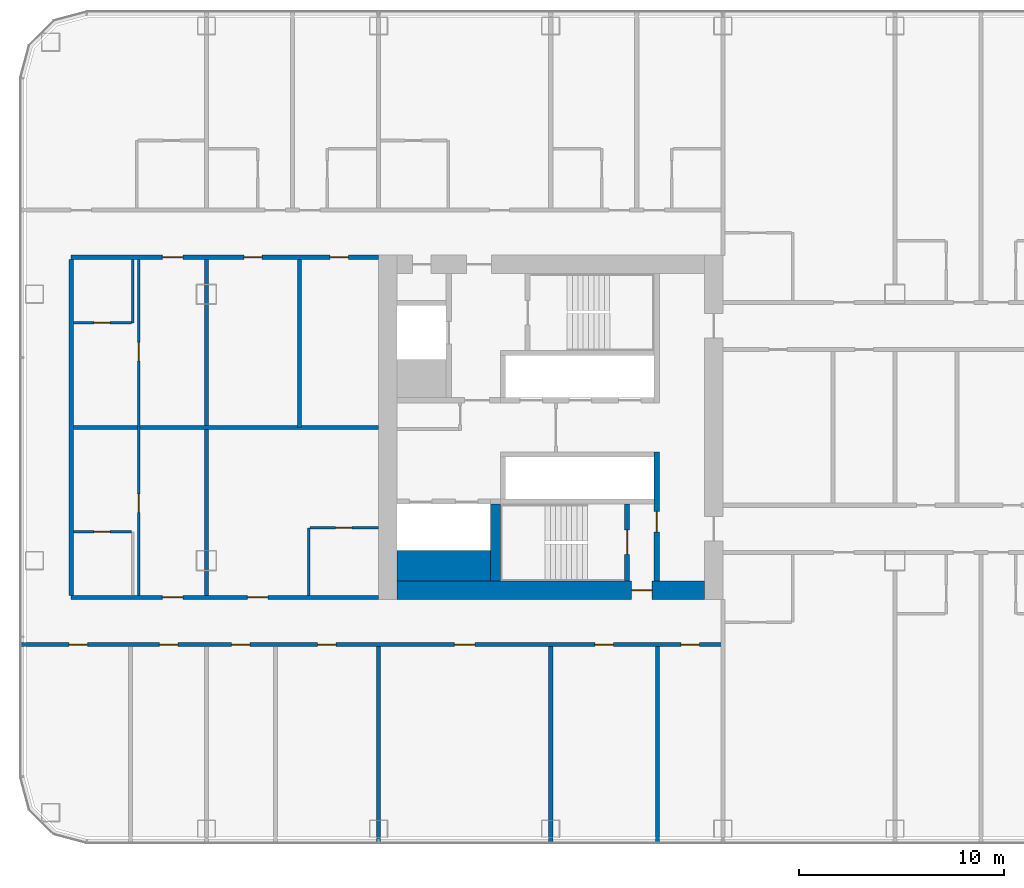
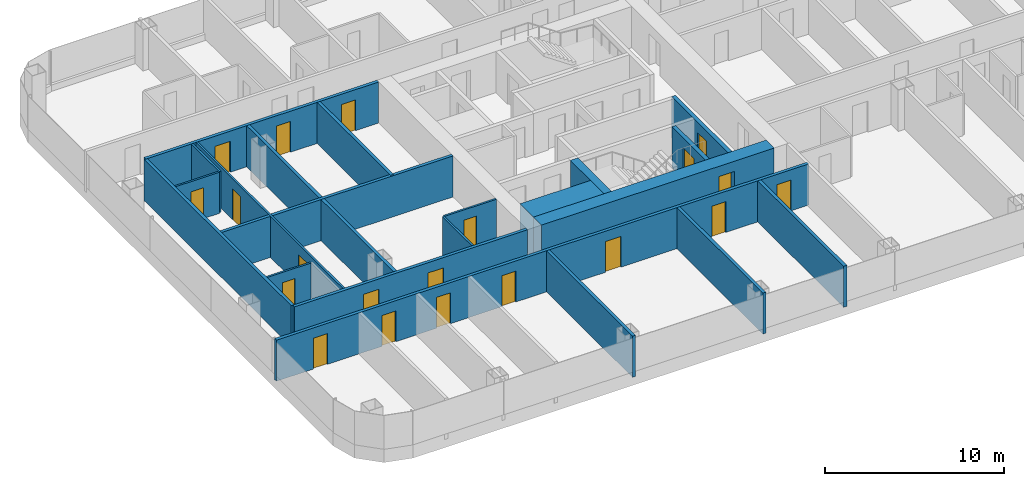
# One storey, part 13 of 28: 21 walls, 20 doors, 20 openings.
"""IFC4 building model written with IfcOpenShell, lengths in metres."""

import ifcopenshell
import ifcopenshell.guid

model = None  # the IFC model being written
_history = None  # IfcOwnerHistory: only IFC2X3 demands one
_inside = {}  # id of a spatial element -> (the spatial element, [elements in it])
_under = {}  # id of a project, library or spatial element -> (it, [spatial elements below it])
_declared = {}  # id of a project -> (the project, [libraries it declares])
_typed = {}  # id of a type object -> (the type object, [elements of that type])
_made_of = {}  # id of a material, layer set ... -> (it, [elements and type objects made of it])


def new_model(schema):
    """Start an empty IFC model of exactly this schema.

    Asked for "IFC4X3", IfcOpenShell would pick the latest addendum, in which some entities
    have other attributes; the version numbers below select the first issue.
    IFC2X3 requires an IfcOwnerHistory on every rooted entity: one is made here for all.
    """
    global model, _history
    if schema == "IFC4X3":
        model = ifcopenshell.file(schema_version=(4, 3, 0, 0))
    else:
        model = ifcopenshell.file(schema=schema)
    _inside.clear()
    _under.clear()
    _declared.clear()
    _typed.clear()
    _made_of.clear()
    _history = None
    if model.schema == "IFC2X3":
        org = make("IfcOrganization", Name="unknown")
        user = make(
            "IfcPersonAndOrganization",
            ThePerson=make("IfcPerson", FamilyName="unknown"),
            TheOrganization=org,
        )
        app = make(
            "IfcApplication",
            ApplicationDeveloper=org,
            Version="unknown",
            ApplicationFullName="unknown",
            ApplicationIdentifier="unknown",
        )
        _history = make(
            "IfcOwnerHistory",
            OwningUser=user,
            OwningApplication=app,
            ChangeAction="ADDED",
            CreationDate=0,
        )
    return model


def make(cls, **values):
    """One entity of the class cls with the attributes given. An attribute that is None is left unset."""
    return model.create_entity(
        cls, **{name: value for name, value in values.items() if value is not None}
    )


def rooted(cls, **values):
    """An entity with a GlobalId (a new one), such as an element, a storey or a relation."""
    return make(cls, GlobalId=ifcopenshell.guid.new(), OwnerHistory=_history, **values)


def si_unit(unit_type, name, prefix=None):
    """IfcSIUnit, for example si_unit("LENGTHUNIT", "METRE", prefix="MILLI")."""
    return make("IfcSIUnit", UnitType=unit_type, Prefix=prefix, Name=name)


def assignment(units):
    """IfcUnitAssignment: the units of a project."""
    return None if units is None else make("IfcUnitAssignment", Units=units)


def point(xyz):
    """IfcCartesianPoint."""
    return None if xyz is None else make("IfcCartesianPoint", Coordinates=xyz)


def direction(xyz):
    """IfcDirection."""
    return None if xyz is None else make("IfcDirection", DirectionRatios=xyz)


def frame(location, z_axis=None, x_axis=None):
    """IfcAxis2Placement3D, a coordinate frame: its origin and axes. An axis left out is left unset."""
    return make(
        "IfcAxis2Placement3D",
        Location=point(location),
        Axis=direction(z_axis),
        RefDirection=direction(x_axis),
    )


def frame_2d(location, x_axis=None):
    """IfcAxis2Placement2D, a coordinate frame in the plane: its origin and x axis."""
    return make(
        "IfcAxis2Placement2D", Location=point(location), RefDirection=direction(x_axis)
    )


def origin():
    """The frame at (0, 0, 0) with its axes left unset."""
    return frame((0.0, 0.0, 0.0))


def place(relative_to, where):
    """IfcLocalPlacement: puts the frame where relative to a parent placement (None: the world)."""
    return make(
        "IfcLocalPlacement", PlacementRelTo=relative_to, RelativePlacement=where
    )


def context(
    kind, dimensions, precision=None, world=None, true_north=None, identifier=None
):
    """IfcGeometricRepresentationContext, for example the 3D "Model" context."""
    return make(
        "IfcGeometricRepresentationContext",
        ContextIdentifier=identifier,
        ContextType=kind,
        CoordinateSpaceDimension=dimensions,
        Precision=precision,
        WorldCoordinateSystem=world,
        TrueNorth=true_north,
    )


def subcontext(parent, identifier, kind, view, scale=None):
    """IfcGeometricRepresentationSubContext, for example "Body" below "Model"."""
    return make(
        "IfcGeometricRepresentationSubContext",
        ContextIdentifier=identifier,
        ContextType=kind,
        ParentContext=parent,
        TargetScale=scale,
        TargetView=view,
    )


def project(units=None, contexts=None):
    """IfcProject with its units and contexts."""
    return rooted(
        "IfcProject",
        Name="project",
        RepresentationContexts=contexts,
        UnitsInContext=assignment(units),
    )


def spatial(cls, under=None, at=None, **own):
    """A site, building, storey or space (cls), placed at a placement, below another one or the project."""
    s = rooted(cls, ObjectPlacement=at, **own)
    if under is not None:
        _under.setdefault(under.id(), (under, []))[1].append(s)
    return s


def profile(cls, at=None, kind="AREA", **sizes):
    """A parametric profile (cls). Its sizes go by their IFC names, for example OverallWidth=200.0."""
    return make(cls, ProfileType=kind, Position=at, **sizes)


def rectangle(**sizes):
    """IfcRectangleProfileDef."""
    return profile("IfcRectangleProfileDef", **sizes)


def extrude(swept, where, along, depth):
    """IfcExtrudedAreaSolid: the profile swept, set in the frame where, extruded along a direction by depth."""
    return make(
        "IfcExtrudedAreaSolid",
        SweptArea=swept,
        Position=where,
        ExtrudedDirection=direction(along),
        Depth=depth,
    )


def shape(context_of_items, identifier, shape_type, items):
    """IfcShapeRepresentation: the items that make up one representation, for example the "Body"."""
    return make(
        "IfcShapeRepresentation",
        ContextOfItems=context_of_items,
        RepresentationIdentifier=identifier,
        RepresentationType=shape_type,
        Items=items,
    )


def material(Name=None, Category=None):
    """IfcMaterial."""
    return make("IfcMaterial", Name=Name, Category=Category)


def layer(
    of_material, thickness, ventilated=None, Name=None, Category=None, Priority=None
):
    """IfcMaterialLayer: one layer of a wall or slab, of a material (None: an air gap)."""
    return make(
        "IfcMaterialLayer",
        Material=of_material,
        LayerThickness=thickness,
        IsVentilated=ventilated,
        Name=Name,
        Category=Category,
        Priority=Priority,
    )


def layer_set(layers, Name=None):
    """IfcMaterialLayerSet."""
    return make("IfcMaterialLayerSet", MaterialLayers=layers, LayerSetName=Name)


def made_of(thing, what):
    """Note that an element or type object is made of a material, layer set ...; save() writes the relation."""
    if what is not None:
        _made_of.setdefault(what.id(), (what, []))[1].append(thing)
    return thing


def type_object(cls, material=None, **own):
    """A type object (cls), such as IfcWallType, which elements share."""
    return made_of(rooted(cls, **own), material)


def element(
    cls,
    number,
    at=None,
    inside=None,
    cuts=None,
    type_object=None,
    material=None,
    context=None,
    identifier="Body",
    shape_type=None,
    held_by="IfcProductDefinitionShape",
    body=None,
    shapes=None,
    **own,
):
    """One element of the class cls, such as IfcWall. Its Tag is "e" and its number.

    at: its placement. inside: the storey or other place that contains it. cuts: it is an
    opening in that element (IfcRelVoidsElement). A single representation is given by context,
    identifier, shape_type and body (its items); several are given by shapes. held_by: the class
    of the entity that holds the representations. save() writes the other relations.
    """
    e = rooted(cls, Tag="e%d" % number, ObjectPlacement=at, **own)
    if body is not None:
        shapes = [shape(context, identifier, shape_type, body)]
    if shapes is not None:
        e.Representation = make(held_by, Representations=shapes)
    if inside is not None:
        _inside.setdefault(inside.id(), (inside, []))[1].append(e)
    if cuts is not None:
        rooted(
            "IfcRelVoidsElement", RelatingBuildingElement=cuts, RelatedOpeningElement=e
        )
    if type_object is not None:
        _typed.setdefault(type_object.id(), (type_object, []))[1].append(e)
    return made_of(e, material)


def fill(opening, filler):
    """IfcRelFillsElement: the door or window that sits in an opening."""
    return rooted(
        "IfcRelFillsElement",
        RelatingOpeningElement=opening,
        RelatedBuildingElement=filler,
    )


def aggregate(whole, parts):
    """IfcRelAggregates: a whole, such as a stair, and the parts it consists of."""
    return rooted("IfcRelAggregates", RelatingObject=whole, RelatedObjects=parts)


def save(model, path):
    """Write the relations noted so far, then the file.

    IfcRelAggregates (storeys below a building ...), IfcRelContainedInSpatialStructure (elements
    in a storey), IfcRelDefinesByType, IfcRelAssociatesMaterial and IfcRelDeclares: one each for
    every whole, place, type object, material and project.
    """
    for whole, parts in _under.values():
        aggregate(whole, parts)
    for where, things in _inside.values():
        rooted(
            "IfcRelContainedInSpatialStructure",
            RelatedElements=things,
            RelatingStructure=where,
        )
    for kind, things in _typed.values():
        rooted("IfcRelDefinesByType", RelatedObjects=things, RelatingType=kind)
    for what, things in _made_of.values():
        rooted("IfcRelAssociatesMaterial", RelatedObjects=things, RelatingMaterial=what)
    for by, libraries in _declared.values():
        rooted("IfcRelDeclares", RelatingContext=by, RelatedDefinitions=libraries)
    model.write(path)


model = new_model("IFC4")

# Units and contexts
model_context = context("Model", 3, precision=1e-05, world=origin(), true_north=direction((0.0, 1.0)))
body_context = subcontext(model_context, "Body", "Model", "MODEL_VIEW")
ifc_project = project(units=[si_unit("LENGTHUNIT", "METRE"), si_unit("AREAUNIT", "SQUARE_METRE"), si_unit("VOLUMEUNIT", "CUBIC_METRE"), si_unit("PLANEANGLEUNIT", "RADIAN"), si_unit("MASSUNIT", "GRAM", prefix="KILO")], contexts=[model_context])

# Site, building, storey
site_placement = place(None, origin())
site = spatial("IfcSite", under=ifc_project, at=site_placement, CompositionType="ELEMENT")
building_placement = place(site_placement, origin())
building = spatial("IfcBuilding", under=site, at=building_placement, Name="Hakoniwa Tower and Hamabe Station Hall", CompositionType="ELEMENT")
storey_placement = place(building_placement, frame((0.0, 0.0, 42.199951171875)))
storey = spatial("IfcBuildingStorey", under=building, at=storey_placement, Name="L11", CompositionType="ELEMENT", Elevation=42.199951171875)

# Wall, opening, door
ifc_material_1 = material(Name="Gypsum board partition", Category="gypsum")
ifc_layer_1 = layer(ifc_material_1, 0.125)
ifc_layer_set_1 = layer_set([ifc_layer_1], Name="Bathroom Partition 125")
wall_type_1 = type_object("IfcWallType", Name="Bathroom Partition 125", PredefinedType="PARTITIONING", material=ifc_layer_set_1)
wall_1_placement = place(storey_placement, frame((-48.5, -5.10009765625, 0.0), z_axis=(0.0, 0.0, 1.0), x_axis=(1.0, 0.0, 0.0)))
wall_1 = element("IfcWall", 1, at=wall_1_placement, inside=storey, type_object=wall_type_1, Name="GW-L11-018", PredefinedType="PARTITIONING", context=body_context, shape_type="SweptSolid", body=[
    extrude(rectangle(XDim=2.83740234375, YDim=0.125, at=frame_2d((1.418701171875, 0.0))), origin(), (0.0, 0.0, 1.0), 2.800048828125),
])
opening_1_placement = place(wall_1_placement, frame((1.0, 0.0, 0.0)))
opening_1 = element("IfcOpeningElement", 2, at=opening_1_placement, cuts=wall_1, Name="Opening GD-G1C1-29", PredefinedType="OPENING", context=body_context, shape_type="SweptSolid", body=[
    extrude(rectangle(XDim=0.800048828125, YDim=2.10009765625, at=frame_2d((0.39990234375, 1.050048828125))), frame((0.0, 0.072509765625, 0.0), z_axis=(0.0, -1.0, 0.0), x_axis=(1.0, 0.0, 0.0)), (0.0, 0.0, 1.0), 0.14501953125),
])
ifc_material_2 = material(Name="Timber door leaf", Category="wood")
door_type_1 = type_object("IfcDoorType", Name="Bathroom Door 800", OperationType="SINGLE_SWING_LEFT", PredefinedType="DOOR", material=ifc_material_2)
door_1_placement = place(opening_1_placement, origin())
door_1 = element("IfcDoor", 3, at=door_1_placement, inside=storey, type_object=door_type_1, Name="Door GD-G1C1-29", OperationType="SINGLE_SWING_LEFT", OverallHeight=2.10009765625, OverallWidth=0.800048828125, PredefinedType="DOOR", context=body_context, shape_type="SweptSolid", body=[
    extrude(rectangle(XDim=0.800048828125, YDim=2.10009765625, at=frame_2d((0.39990234375, 1.050048828125))), frame((0.0, 0.02490234375, 0.0), z_axis=(0.0, -1.0, 0.0), x_axis=(1.0, 0.0, 0.0)), (0.0, 0.0, 1.0), 0.050048828125),
])
fill(opening_1, door_1)

wall_2_placement = place(storey_placement, frame((-36.9375, -4.89990234375, 0.0), z_axis=(0.0, 0.0, 1.0), x_axis=(1.0, 0.0, 0.0)))
wall_2 = element("IfcWall", 4, at=wall_2_placement, inside=storey, type_object=wall_type_1, Name="GW-L11-019", PredefinedType="PARTITIONING", context=body_context, shape_type="SweptSolid", body=[
    extrude(rectangle(XDim=3.33740234375, YDim=0.125, at=frame_2d((1.668701171875, 0.0))), origin(), (0.0, 0.0, 1.0), 2.800048828125),
])
opening_2_placement = place(wall_2_placement, frame((1.237548828125, 0.0, 0.0)))
opening_2 = element("IfcOpeningElement", 5, at=opening_2_placement, cuts=wall_2, Name="Opening GD-G1C1-30", PredefinedType="OPENING", context=body_context, shape_type="SweptSolid", body=[
    extrude(rectangle(XDim=0.800048828125, YDim=2.10009765625, at=frame_2d((0.39990234375, 1.050048828125))), frame((0.0, 0.072509765625, 0.0), z_axis=(0.0, -1.0, 0.0), x_axis=(1.0, 0.0, 0.0)), (0.0, 0.0, 1.0), 0.14501953125),
])
door_2_placement = place(opening_2_placement, origin())
door_2 = element("IfcDoor", 6, at=door_2_placement, inside=storey, type_object=door_type_1, Name="Door GD-G1C1-30", OperationType="SINGLE_SWING_LEFT", OverallHeight=2.10009765625, OverallWidth=0.800048828125, PredefinedType="DOOR", context=body_context, shape_type="SweptSolid", body=[
    extrude(rectangle(XDim=0.800048828125, YDim=2.10009765625, at=frame_2d((0.39990234375, 1.050048828125))), frame((0.0, 0.02490234375, 0.0), z_axis=(0.0, -1.0, 0.0), x_axis=(1.0, 0.0, 0.0)), (0.0, 0.0, 1.0), 0.050048828125),
])
fill(opening_2, door_2)

wall_3_placement = place(storey_placement, frame((-48.5, 5.10009765625, 0.0), z_axis=(0.0, 0.0, 1.0), x_axis=(1.0, 0.0, 0.0)))
wall_3 = element("IfcWall", 7, at=wall_3_placement, inside=storey, type_object=wall_type_1, Name="GW-L11-024", PredefinedType="PARTITIONING", context=body_context, shape_type="SweptSolid", body=[
    extrude(rectangle(XDim=2.83740234375, YDim=0.125, at=frame_2d((1.418701171875, 0.0))), origin(), (0.0, 0.0, 1.0), 2.800048828125),
])
opening_3_placement = place(wall_3_placement, frame((1.0, 0.0, 0.0)))
opening_3 = element("IfcOpeningElement", 8, at=opening_3_placement, cuts=wall_3, Name="Opening GD-G1C1-39", PredefinedType="OPENING", context=body_context, shape_type="SweptSolid", body=[
    extrude(rectangle(XDim=0.800048828125, YDim=2.10009765625, at=frame_2d((0.39990234375, 1.050048828125))), frame((0.0, 0.072509765625, 0.0), z_axis=(0.0, -1.0, 0.0), x_axis=(1.0, 0.0, 0.0)), (0.0, 0.0, 1.0), 0.14501953125),
])
door_3_placement = place(opening_3_placement, origin())
door_3 = element("IfcDoor", 9, at=door_3_placement, inside=storey, type_object=door_type_1, Name="Door GD-G1C1-39", OperationType="SINGLE_SWING_LEFT", OverallHeight=2.10009765625, OverallWidth=0.800048828125, PredefinedType="DOOR", context=body_context, shape_type="SweptSolid", body=[
    extrude(rectangle(XDim=0.800048828125, YDim=2.10009765625, at=frame_2d((0.39990234375, 1.050048828125))), frame((0.0, 0.02490234375, 0.0), z_axis=(0.0, -1.0, 0.0), x_axis=(1.0, 0.0, 0.0)), (0.0, 0.0, 1.0), 0.050048828125),
])
fill(opening_3, door_3)

# Walls
wall_4_placement = place(storey_placement, frame((-45.60009765625, 5.10009765625, 0.0), z_axis=(0.0, 0.0, 1.0), x_axis=(0.0, 1.0, 0.0)))
element("IfcWall", 10, at=wall_4_placement, inside=storey, type_object=wall_type_1, Name="GW-L11-051", PredefinedType="PARTITIONING", context=body_context, shape_type="SweptSolid", body=[
    extrude(rectangle(XDim=3.099853515625, YDim=0.125, at=frame_2d((1.5498046875, 0.0))), origin(), (0.0, 0.0, 1.0), 2.800048828125),
])
wall_5_placement = place(storey_placement, frame((-37.0, -8.199951171875, 0.0), z_axis=(0.0, 0.0, 1.0), x_axis=(0.0, 1.0, 0.0)))
element("IfcWall", 11, at=wall_5_placement, inside=storey, type_object=wall_type_1, Name="GW-L11-061", PredefinedType="PARTITIONING", context=body_context, shape_type="SweptSolid", body=[
    extrude(rectangle(XDim=3.300048828125, YDim=0.125, at=frame_2d((1.64990234375, 0.0))), origin(), (0.0, 0.0, 1.0), 2.800048828125),
])

# Wall, opening, door
ifc_material_3 = material(Name="Concrete C80", Category="concrete")
ifc_layer_2 = layer(ifc_material_3, 0.89990234375)
ifc_layer_set_2 = layer_set([ifc_layer_2], Name="CORE WALL 900 C80")
wall_type_2 = type_object("IfcWallType", Name="CORE WALL 900 C80", PredefinedType="SHEAR", material=ifc_layer_set_2)
wall_6_placement = place(storey_placement, frame((-32.699951171875, -7.949951171875, 0.0), z_axis=(0.0, 0.0, 1.0), x_axis=(1.0, 0.0, 0.0)))
wall_6 = element("IfcWall", 12, at=wall_6_placement, inside=storey, type_object=wall_type_2, Name="Core wall SOUTH west", PredefinedType="SHEAR", context=body_context, shape_type="SweptSolid", body=[
    extrude(rectangle(XDim=15.0, YDim=0.89990234375, at=frame_2d((7.5, 0.0))), origin(), (0.0, 0.0, 1.0), 2.800048828125),
])
opening_4_placement = place(wall_6_placement, frame((11.449951171875, 0.0, 0.0)))
opening_4 = element("IfcOpeningElement", 13, at=opening_4_placement, cuts=wall_6, Name="Opening CD-W-FS3-10", PredefinedType="OPENING", context=body_context, shape_type="SweptSolid", body=[
    extrude(rectangle(XDim=1.0, YDim=2.10009765625, at=frame_2d((0.5, 1.050048828125))), frame((0.0, 0.4599609375, 0.0), z_axis=(0.0, -1.0, 0.0), x_axis=(1.0, 0.0, 0.0)), (0.0, 0.0, 1.0), 0.919921875),
])
ifc_material_4 = material(Name="Steel fire door", Category="steel")
door_type_2 = type_object("IfcDoorType", Name="CORE DOOR 1000 FD60", OperationType="NOTDEFINED", PredefinedType="DOOR", material=ifc_material_4)
door_4_placement = place(opening_4_placement, origin())
door_4 = element("IfcDoor", 14, at=door_4_placement, inside=storey, type_object=door_type_2, Name="Stair vestibule door", OperationType="SINGLE_SWING_RIGHT", OverallHeight=2.10009765625, OverallWidth=1.0, PredefinedType="DOOR", context=body_context, shape_type="SweptSolid", body=[
    extrude(rectangle(XDim=1.0, YDim=2.10009765625, at=frame_2d((0.5, 1.050048828125))), frame((0.0, 0.02490234375, 0.0), z_axis=(0.0, -1.0, 0.0), x_axis=(1.0, 0.0, 0.0)), (0.0, 0.0, 1.0), 0.050048828125),
])
fill(opening_4, door_4)

# Wall
ifc_material_5 = material(Name="Concrete C80", Category="concrete")
ifc_layer_3 = layer(ifc_material_5, 1.5)
ifc_layer_set_3 = layer_set([ifc_layer_3], Name="CORE WEB WALL 1500 C80")
wall_type_3 = type_object("IfcWallType", Name="CORE WEB WALL 1500 C80", PredefinedType="SHEAR", material=ifc_layer_set_3)
wall_7_placement = place(storey_placement, frame((-32.699951171875, -6.75, 0.0), z_axis=(0.0, 0.0, 1.0), x_axis=(1.0, 0.0, 0.0)))
element("IfcWall", 15, at=wall_7_placement, inside=storey, type_object=wall_type_3, Name="Core wall SER west", PredefinedType="SHEAR", context=body_context, shape_type="SweptSolid", body=[
    extrude(rectangle(XDim=4.550048828125, YDim=1.5, at=frame_2d((2.27490234375, 0.0))), origin(), (0.0, 0.0, 1.0), 2.800048828125),
])

# Wall, opening, door
ifc_material_6 = material(Name="Concrete C80", Category="concrete")
ifc_layer_4 = layer(ifc_material_6, 0.25)
ifc_layer_set_4 = layer_set([ifc_layer_4], Name="CORE WEB WALL 250 C80")
wall_type_4 = type_object("IfcWallType", Name="CORE WEB WALL 250 C80", PredefinedType="SHEAR", material=ifc_layer_set_4)
wall_8_placement = place(storey_placement, frame((-20.02490234375, -7.5, 0.0), z_axis=(0.0, 0.0, 1.0), x_axis=(0.0, 1.0, 0.0)))
wall_8 = element("IfcWall", 16, at=wall_8_placement, inside=storey, type_object=wall_type_4, Name="Core wall W1S west", PredefinedType="SHEAR", context=body_context, shape_type="SweptSolid", body=[
    extrude(rectangle(XDim=6.300048828125, YDim=0.25, at=frame_2d((3.14990234375, 0.0))), origin(), (0.0, 0.0, 1.0), 2.800048828125),
])
opening_5_placement = place(wall_8_placement, frame((2.39990234375, 0.0, 0.0)))
opening_5 = element("IfcOpeningElement", 17, at=opening_5_placement, cuts=wall_8, Name="Opening CD-W-VS-10", PredefinedType="OPENING", context=body_context, shape_type="SweptSolid", body=[
    extrude(rectangle(XDim=1.0, YDim=2.10009765625, at=frame_2d((0.5, 1.050048828125))), frame((0.0, 0.135009765625, 0.0), z_axis=(0.0, -1.0, 0.0), x_axis=(1.0, 0.0, 0.0)), (0.0, 0.0, 1.0), 0.27001953125),
])
door_5_placement = place(opening_5_placement, origin())
door_5 = element("IfcDoor", 18, at=door_5_placement, inside=storey, type_object=door_type_2, Name="Stair vestibule door", OperationType="SINGLE_SWING_LEFT", OverallHeight=2.10009765625, OverallWidth=1.0, PredefinedType="DOOR", context=body_context, shape_type="SweptSolid", body=[
    extrude(rectangle(XDim=1.0, YDim=2.10009765625, at=frame_2d((0.5, 1.050048828125))), frame((0.0, 0.02490234375, 0.0), z_axis=(0.0, -1.0, 0.0), x_axis=(1.0, 0.0, 0.0)), (0.0, 0.0, 1.0), 0.050048828125),
])
fill(opening_5, door_5)

wall_9_placement = place(storey_placement, frame((-21.47509765625, -7.5, 0.0), z_axis=(0.0, 0.0, 1.0), x_axis=(0.0, 1.0, 0.0)))
wall_9 = element("IfcWall", 19, at=wall_9_placement, inside=storey, type_object=wall_type_4, Name="Core wall VE west", PredefinedType="SHEAR", context=body_context, shape_type="SweptSolid", body=[
    extrude(rectangle(XDim=3.75, YDim=0.25, at=frame_2d((1.875, 0.0))), origin(), (0.0, 0.0, 1.0), 2.800048828125),
])
opening_6_placement = place(wall_9_placement, frame((1.300048828125, 0.0, 0.0)))
opening_6 = element("IfcOpeningElement", 20, at=opening_6_placement, cuts=wall_9, Name="Opening CD-W-SS-12", PredefinedType="OPENING", context=body_context, shape_type="SweptSolid", body=[
    extrude(rectangle(XDim=1.199951171875, YDim=2.10009765625, at=frame_2d((0.60009765625, 1.050048828125))), frame((0.0, 0.135009765625, 0.0), z_axis=(0.0, -1.0, 0.0), x_axis=(1.0, 0.0, 0.0)), (0.0, 0.0, 1.0), 0.27001953125),
])
ifc_material_7 = material(Name="Steel fire door", Category="steel")
door_type_3 = type_object("IfcDoorType", Name="CORE DOOR 1200 FD60", OperationType="DOUBLE_DOOR_SINGLE_SWING", PredefinedType="DOOR", material=ifc_material_7)
door_6_placement = place(opening_6_placement, origin())
door_6 = element("IfcDoor", 21, at=door_6_placement, inside=storey, type_object=door_type_3, Name="Escape stair door", OperationType="DOUBLE_DOOR_SINGLE_SWING", OverallHeight=2.10009765625, OverallWidth=1.199951171875, PredefinedType="DOOR", context=body_context, shape_type="SweptSolid", body=[
    extrude(rectangle(XDim=1.199951171875, YDim=2.10009765625, at=frame_2d((0.60009765625, 1.050048828125))), frame((0.0, 0.02490234375, 0.0), z_axis=(0.0, -1.0, 0.0), x_axis=(1.0, 0.0, 0.0)), (0.0, 0.0, 1.0), 0.050048828125),
])
fill(opening_6, door_6)

# Wall
ifc_material_8 = material(Name="Concrete C80", Category="concrete")
ifc_layer_5 = layer(ifc_material_8, 0.5)
ifc_layer_set_5 = layer_set([ifc_layer_5], Name="CORE WEB WALL 500 C80")
wall_type_5 = type_object("IfcWallType", Name="CORE WEB WALL 500 C80", PredefinedType="SHEAR", material=ifc_layer_set_5)
wall_10_placement = place(storey_placement, frame((-27.89990234375, -7.5, 0.0), z_axis=(0.0, 0.0, 1.0), x_axis=(0.0, 1.0, 0.0)))
element("IfcWall", 22, at=wall_10_placement, inside=storey, type_object=wall_type_5, Name="Core wall SSE west", PredefinedType="SHEAR", context=body_context, shape_type="SweptSolid", body=[
    extrude(rectangle(XDim=3.75, YDim=0.5, at=frame_2d((1.875, 0.0))), origin(), (0.0, 0.0, 1.0), 2.800048828125),
])

# Wall, openings, doors
ifc_material_9 = material(Name="Fire-rated gypsum board partition", Category="gypsum")
ifc_layer_6 = layer(ifc_material_9, 0.199951171875)
ifc_layer_set_6 = layer_set([ifc_layer_6], Name="Corridor Wall 200")
wall_type_6 = type_object("IfcWallType", Name="Corridor Wall 200", PredefinedType="PARTITIONING", material=ifc_layer_set_6)
wall_11_placement = place(storey_placement, frame((-51.10009765625, -10.60009765625, 0.0), z_axis=(0.0, 0.0, 1.0), x_axis=(1.0, 0.0, 0.0)))
wall_11 = element("IfcWall", 23, at=wall_11_placement, inside=storey, type_object=wall_type_6, Name="GW-L11-007", PredefinedType="PARTITIONING", context=body_context, shape_type="SweptSolid", body=[
    extrude(rectangle(XDim=34.300048828125, YDim=0.199951171875, at=frame_2d((17.14990234375, 0.0))), origin(), (0.0, 0.0, 1.0), 2.800048828125),
])
opening_7_placement = place(wall_11_placement, frame((2.39990234375, 0.0, 0.0)))
opening_7 = element("IfcOpeningElement", 24, at=opening_7_placement, cuts=wall_11, Name="Opening GD-G1C1-03", PredefinedType="OPENING", context=body_context, shape_type="SweptSolid", body=[
    extrude(rectangle(XDim=0.89990234375, YDim=2.10009765625, at=frame_2d((0.449951171875, 1.050048828125))), frame((0.0, 0.10986328125, 0.0), z_axis=(0.0, -1.0, 0.0), x_axis=(1.0, 0.0, 0.0)), (0.0, 0.0, 1.0), 0.219970703125),
])
opening_8_placement = place(wall_11_placement, frame((6.800048828125, 0.0, 0.0)))
opening_8 = element("IfcOpeningElement", 25, at=opening_8_placement, cuts=wall_11, Name="Opening GD-G1C1-04", PredefinedType="OPENING", context=body_context, shape_type="SweptSolid", body=[
    extrude(rectangle(XDim=0.89990234375, YDim=2.10009765625, at=frame_2d((0.449951171875, 1.050048828125))), frame((0.0, 0.10986328125, 0.0), z_axis=(0.0, -1.0, 0.0), x_axis=(1.0, 0.0, 0.0)), (0.0, 0.0, 1.0), 0.219970703125),
])
opening_9_placement = place(wall_11_placement, frame((10.330078125, 0.0, 0.0)))
opening_9 = element("IfcOpeningElement", 26, at=opening_9_placement, cuts=wall_11, Name="Opening GD-G1C1-05", PredefinedType="OPENING", context=body_context, shape_type="SweptSolid", body=[
    extrude(rectangle(XDim=0.89990234375, YDim=2.10009765625, at=frame_2d((0.449951171875, 1.050048828125))), frame((0.0, 0.10986328125, 0.0), z_axis=(0.0, -1.0, 0.0), x_axis=(1.0, 0.0, 0.0)), (0.0, 0.0, 1.0), 0.219970703125),
])
opening_10_placement = place(wall_11_placement, frame((14.530029296875, 0.0, 0.0)))
opening_10 = element("IfcOpeningElement", 27, at=opening_10_placement, cuts=wall_11, Name="Opening GD-G1C1-06", PredefinedType="OPENING", context=body_context, shape_type="SweptSolid", body=[
    extrude(rectangle(XDim=0.89990234375, YDim=2.10009765625, at=frame_2d((0.449951171875, 1.050048828125))), frame((0.0, 0.10986328125, 0.0), z_axis=(0.0, -1.0, 0.0), x_axis=(1.0, 0.0, 0.0)), (0.0, 0.0, 1.0), 0.219970703125),
])
opening_11_placement = place(wall_11_placement, frame((21.199951171875, 0.0, 0.0)))
opening_11 = element("IfcOpeningElement", 28, at=opening_11_placement, cuts=wall_11, Name="Opening GD-G1C1-07", PredefinedType="OPENING", context=body_context, shape_type="SweptSolid", body=[
    extrude(rectangle(XDim=1.0, YDim=2.10009765625, at=frame_2d((0.5, 1.050048828125))), frame((0.0, 0.10986328125, 0.0), z_axis=(0.0, -1.0, 0.0), x_axis=(1.0, 0.0, 0.0)), (0.0, 0.0, 1.0), 0.219970703125),
])
opening_12_placement = place(wall_11_placement, frame((28.054931640625, 0.0, 0.0)))
opening_12 = element("IfcOpeningElement", 29, at=opening_12_placement, cuts=wall_11, Name="Opening GD-G1C1-08", PredefinedType="OPENING", context=body_context, shape_type="SweptSolid", body=[
    extrude(rectangle(XDim=0.89990234375, YDim=2.10009765625, at=frame_2d((0.449951171875, 1.050048828125))), frame((0.0, 0.10986328125, 0.0), z_axis=(0.0, -1.0, 0.0), x_axis=(1.0, 0.0, 0.0)), (0.0, 0.0, 1.0), 0.219970703125),
])
opening_13_placement = place(wall_11_placement, frame((32.2548828125, 0.0, 0.0)))
opening_13 = element("IfcOpeningElement", 30, at=opening_13_placement, cuts=wall_11, Name="Opening GD-G1C1-09", PredefinedType="OPENING", context=body_context, shape_type="SweptSolid", body=[
    extrude(rectangle(XDim=0.89990234375, YDim=2.10009765625, at=frame_2d((0.449951171875, 1.050048828125))), frame((0.0, 0.10986328125, 0.0), z_axis=(0.0, -1.0, 0.0), x_axis=(1.0, 0.0, 0.0)), (0.0, 0.0, 1.0), 0.219970703125),
])
ifc_material_10 = material(Name="Timber door leaf", Category="wood")
door_type_4 = type_object("IfcDoorType", Name="Guest Entrance Door 1000", OperationType="SINGLE_SWING_LEFT", PredefinedType="DOOR", material=ifc_material_10)
door_7_placement = place(opening_11_placement, origin())
door_7 = element("IfcDoor", 31, at=door_7_placement, inside=storey, type_object=door_type_4, Name="Door GD-G1C1-07", OperationType="SINGLE_SWING_LEFT", OverallHeight=2.10009765625, OverallWidth=1.0, PredefinedType="DOOR", context=body_context, shape_type="SweptSolid", body=[
    extrude(rectangle(XDim=1.0, YDim=2.10009765625, at=frame_2d((0.5, 1.050048828125))), frame((0.0, 0.02490234375, 0.0), z_axis=(0.0, -1.0, 0.0), x_axis=(1.0, 0.0, 0.0)), (0.0, 0.0, 1.0), 0.050048828125),
])
fill(opening_11, door_7)
ifc_material_11 = material(Name="Timber door leaf", Category="wood")
door_type_5 = type_object("IfcDoorType", Name="Service Door 900", OperationType="SINGLE_SWING_LEFT", PredefinedType="DOOR", material=ifc_material_11)
door_8_placement = place(opening_7_placement, origin())
door_8 = element("IfcDoor", 32, at=door_8_placement, inside=storey, type_object=door_type_5, Name="Door GD-G1C1-03", OperationType="SINGLE_SWING_LEFT", OverallHeight=2.10009765625, OverallWidth=0.89990234375, PredefinedType="DOOR", context=body_context, shape_type="SweptSolid", body=[
    extrude(rectangle(XDim=0.89990234375, YDim=2.10009765625, at=frame_2d((0.449951171875, 1.050048828125))), frame((0.0, 0.02490234375, 0.0), z_axis=(0.0, -1.0, 0.0), x_axis=(1.0, 0.0, 0.0)), (0.0, 0.0, 1.0), 0.050048828125),
])
fill(opening_7, door_8)
door_9_placement = place(opening_8_placement, origin())
door_9 = element("IfcDoor", 33, at=door_9_placement, inside=storey, type_object=door_type_5, Name="Door GD-G1C1-04", OperationType="SINGLE_SWING_RIGHT", OverallHeight=2.10009765625, OverallWidth=0.89990234375, PredefinedType="DOOR", context=body_context, shape_type="SweptSolid", body=[
    extrude(rectangle(XDim=0.89990234375, YDim=2.10009765625, at=frame_2d((0.449951171875, 1.050048828125))), frame((0.0, 0.02490234375, 0.0), z_axis=(0.0, -1.0, 0.0), x_axis=(1.0, 0.0, 0.0)), (0.0, 0.0, 1.0), 0.050048828125),
])
fill(opening_8, door_9)
door_10_placement = place(opening_9_placement, origin())
door_10 = element("IfcDoor", 34, at=door_10_placement, inside=storey, type_object=door_type_5, Name="Door GD-G1C1-05", OperationType="SINGLE_SWING_LEFT", OverallHeight=2.10009765625, OverallWidth=0.89990234375, PredefinedType="DOOR", context=body_context, shape_type="SweptSolid", body=[
    extrude(rectangle(XDim=0.89990234375, YDim=2.10009765625, at=frame_2d((0.449951171875, 1.050048828125))), frame((0.0, 0.02490234375, 0.0), z_axis=(0.0, -1.0, 0.0), x_axis=(1.0, 0.0, 0.0)), (0.0, 0.0, 1.0), 0.050048828125),
])
fill(opening_9, door_10)
door_11_placement = place(opening_10_placement, origin())
door_11 = element("IfcDoor", 35, at=door_11_placement, inside=storey, type_object=door_type_5, Name="Door GD-G1C1-06", OperationType="SINGLE_SWING_RIGHT", OverallHeight=2.10009765625, OverallWidth=0.89990234375, PredefinedType="DOOR", context=body_context, shape_type="SweptSolid", body=[
    extrude(rectangle(XDim=0.89990234375, YDim=2.10009765625, at=frame_2d((0.449951171875, 1.050048828125))), frame((0.0, 0.02490234375, 0.0), z_axis=(0.0, -1.0, 0.0), x_axis=(1.0, 0.0, 0.0)), (0.0, 0.0, 1.0), 0.050048828125),
])
fill(opening_10, door_11)
door_12_placement = place(opening_12_placement, origin())
door_12 = element("IfcDoor", 36, at=door_12_placement, inside=storey, type_object=door_type_5, Name="Door GD-G1C1-08", OperationType="SINGLE_SWING_RIGHT", OverallHeight=2.10009765625, OverallWidth=0.89990234375, PredefinedType="DOOR", context=body_context, shape_type="SweptSolid", body=[
    extrude(rectangle(XDim=0.89990234375, YDim=2.10009765625, at=frame_2d((0.449951171875, 1.050048828125))), frame((0.0, 0.02490234375, 0.0), z_axis=(0.0, -1.0, 0.0), x_axis=(1.0, 0.0, 0.0)), (0.0, 0.0, 1.0), 0.050048828125),
])
fill(opening_12, door_12)
door_13_placement = place(opening_13_placement, origin())
door_13 = element("IfcDoor", 37, at=door_13_placement, inside=storey, type_object=door_type_5, Name="Door GD-G1C1-09", OperationType="SINGLE_SWING_LEFT", OverallHeight=2.10009765625, OverallWidth=0.89990234375, PredefinedType="DOOR", context=body_context, shape_type="SweptSolid", body=[
    extrude(rectangle(XDim=0.89990234375, YDim=2.10009765625, at=frame_2d((0.449951171875, 1.050048828125))), frame((0.0, 0.02490234375, 0.0), z_axis=(0.0, -1.0, 0.0), x_axis=(1.0, 0.0, 0.0)), (0.0, 0.0, 1.0), 0.050048828125),
])
fill(opening_13, door_13)

wall_12_placement = place(storey_placement, frame((-48.60009765625, -8.300048828125, 0.0), z_axis=(0.0, 0.0, 1.0), x_axis=(1.0, 0.0, 0.0)))
wall_12 = element("IfcWall", 38, at=wall_12_placement, inside=storey, type_object=wall_type_6, Name="GW-L11-014", PredefinedType="PARTITIONING", context=body_context, shape_type="SweptSolid", body=[
    extrude(rectangle(XDim=15.0, YDim=0.199951171875, at=frame_2d((7.5, 0.0))), origin(), (0.0, 0.0, 1.0), 2.800048828125),
])
opening_14_placement = place(wall_12_placement, frame((4.449951171875, 0.0, 0.0)))
opening_14 = element("IfcOpeningElement", 39, at=opening_14_placement, cuts=wall_12, Name="Opening GD-G1C1-17", PredefinedType="OPENING", context=body_context, shape_type="SweptSolid", body=[
    extrude(rectangle(XDim=1.0, YDim=2.10009765625, at=frame_2d((0.5, 1.050048828125))), frame((0.0, 0.10986328125, 0.0), z_axis=(0.0, -1.0, 0.0), x_axis=(1.0, 0.0, 0.0)), (0.0, 0.0, 1.0), 0.219970703125),
])
opening_15_placement = place(wall_12_placement, frame((8.60009765625, 0.0, 0.0)))
opening_15 = element("IfcOpeningElement", 40, at=opening_15_placement, cuts=wall_12, Name="Opening GD-G1C1-18", PredefinedType="OPENING", context=body_context, shape_type="SweptSolid", body=[
    extrude(rectangle(XDim=1.0, YDim=2.10009765625, at=frame_2d((0.5, 1.050048828125))), frame((0.0, 0.10986328125, 0.0), z_axis=(0.0, -1.0, 0.0), x_axis=(1.0, 0.0, 0.0)), (0.0, 0.0, 1.0), 0.219970703125),
])
door_14_placement = place(opening_14_placement, origin())
door_14 = element("IfcDoor", 41, at=door_14_placement, inside=storey, type_object=door_type_4, Name="Door GD-G1C1-17", OperationType="SINGLE_SWING_RIGHT", OverallHeight=2.10009765625, OverallWidth=1.0, PredefinedType="DOOR", context=body_context, shape_type="SweptSolid", body=[
    extrude(rectangle(XDim=1.0, YDim=2.10009765625, at=frame_2d((0.5, 1.050048828125))), frame((0.0, 0.02490234375, 0.0), z_axis=(0.0, -1.0, 0.0), x_axis=(1.0, 0.0, 0.0)), (0.0, 0.0, 1.0), 0.050048828125),
])
fill(opening_14, door_14)
door_15_placement = place(opening_15_placement, origin())
door_15 = element("IfcDoor", 42, at=door_15_placement, inside=storey, type_object=door_type_4, Name="Door GD-G1C1-18", OperationType="SINGLE_SWING_RIGHT", OverallHeight=2.10009765625, OverallWidth=1.0, PredefinedType="DOOR", context=body_context, shape_type="SweptSolid", body=[
    extrude(rectangle(XDim=1.0, YDim=2.10009765625, at=frame_2d((0.5, 1.050048828125))), frame((0.0, 0.02490234375, 0.0), z_axis=(0.0, -1.0, 0.0), x_axis=(1.0, 0.0, 0.0)), (0.0, 0.0, 1.0), 0.050048828125),
])
fill(opening_15, door_15)

wall_13_placement = place(storey_placement, frame((-48.60009765625, 8.300048828125, 0.0), z_axis=(0.0, 0.0, 1.0), x_axis=(1.0, 0.0, 0.0)))
wall_13 = element("IfcWall", 43, at=wall_13_placement, inside=storey, type_object=wall_type_6, Name="GW-L11-027", PredefinedType="PARTITIONING", context=body_context, shape_type="SweptSolid", body=[
    extrude(rectangle(XDim=15.0, YDim=0.199951171875, at=frame_2d((7.5, 0.0))), origin(), (0.0, 0.0, 1.0), 2.800048828125),
])
opening_16_placement = place(wall_13_placement, frame((4.449951171875, 0.0, 0.0)))
opening_16 = element("IfcOpeningElement", 44, at=opening_16_placement, cuts=wall_13, Name="Opening GD-G1C1-47", PredefinedType="OPENING", context=body_context, shape_type="SweptSolid", body=[
    extrude(rectangle(XDim=1.0, YDim=2.10009765625, at=frame_2d((0.5, 1.050048828125))), frame((0.0, 0.10986328125, 0.0), z_axis=(0.0, -1.0, 0.0), x_axis=(1.0, 0.0, 0.0)), (0.0, 0.0, 1.0), 0.219970703125),
])
opening_17_placement = place(wall_13_placement, frame((8.419921875, 0.0, 0.0)))
opening_17 = element("IfcOpeningElement", 45, at=opening_17_placement, cuts=wall_13, Name="Opening GD-G1C1-48", PredefinedType="OPENING", context=body_context, shape_type="SweptSolid", body=[
    extrude(rectangle(XDim=0.89990234375, YDim=2.10009765625, at=frame_2d((0.449951171875, 1.050048828125))), frame((0.0, 0.10986328125, 0.0), z_axis=(0.0, -1.0, 0.0), x_axis=(1.0, 0.0, 0.0)), (0.0, 0.0, 1.0), 0.219970703125),
])
opening_18_placement = place(wall_13_placement, frame((12.6201171875, 0.0, 0.0)))
opening_18 = element("IfcOpeningElement", 46, at=opening_18_placement, cuts=wall_13, Name="Opening GD-G1C1-49", PredefinedType="OPENING", context=body_context, shape_type="SweptSolid", body=[
    extrude(rectangle(XDim=0.89990234375, YDim=2.10009765625, at=frame_2d((0.449951171875, 1.050048828125))), frame((0.0, 0.10986328125, 0.0), z_axis=(0.0, -1.0, 0.0), x_axis=(1.0, 0.0, 0.0)), (0.0, 0.0, 1.0), 0.219970703125),
])
door_16_placement = place(opening_16_placement, origin())
door_16 = element("IfcDoor", 47, at=door_16_placement, inside=storey, type_object=door_type_4, Name="Door GD-G1C1-47", OperationType="SINGLE_SWING_RIGHT", OverallHeight=2.10009765625, OverallWidth=1.0, PredefinedType="DOOR", context=body_context, shape_type="SweptSolid", body=[
    extrude(rectangle(XDim=1.0, YDim=2.10009765625, at=frame_2d((0.5, 1.050048828125))), frame((0.0, 0.02490234375, 0.0), z_axis=(0.0, -1.0, 0.0), x_axis=(1.0, 0.0, 0.0)), (0.0, 0.0, 1.0), 0.050048828125),
])
fill(opening_16, door_16)
door_17_placement = place(opening_17_placement, origin())
door_17 = element("IfcDoor", 48, at=door_17_placement, inside=storey, type_object=door_type_5, Name="Door GD-G1C1-48", OperationType="SINGLE_SWING_RIGHT", OverallHeight=2.10009765625, OverallWidth=0.89990234375, PredefinedType="DOOR", context=body_context, shape_type="SweptSolid", body=[
    extrude(rectangle(XDim=0.89990234375, YDim=2.10009765625, at=frame_2d((0.449951171875, 1.050048828125))), frame((0.0, 0.02490234375, 0.0), z_axis=(0.0, -1.0, 0.0), x_axis=(1.0, 0.0, 0.0)), (0.0, 0.0, 1.0), 0.050048828125),
])
fill(opening_17, door_17)
door_18_placement = place(opening_18_placement, origin())
door_18 = element("IfcDoor", 49, at=door_18_placement, inside=storey, type_object=door_type_5, Name="Door GD-G1C1-49", OperationType="SINGLE_SWING_LEFT", OverallHeight=2.10009765625, OverallWidth=0.89990234375, PredefinedType="DOOR", context=body_context, shape_type="SweptSolid", body=[
    extrude(rectangle(XDim=0.89990234375, YDim=2.10009765625, at=frame_2d((0.449951171875, 1.050048828125))), frame((0.0, 0.02490234375, 0.0), z_axis=(0.0, -1.0, 0.0), x_axis=(1.0, 0.0, 0.0)), (0.0, 0.0, 1.0), 0.050048828125),
])
fill(opening_18, door_18)

# Walls
ifc_material_12 = material(Name="Fire-rated gypsum board partition", Category="gypsum")
ifc_layer_7 = layer(ifc_material_12, 0.199951171875)
ifc_layer_set_7 = layer_set([ifc_layer_7], Name="Party Wall 200")
wall_type_7 = type_object("IfcWallType", Name="Party Wall 200", PredefinedType="PARTITIONING", material=ifc_layer_set_7)
wall_14_placement = place(storey_placement, frame((-48.5, 0.0, 0.0), z_axis=(0.0, 0.0, 1.0), x_axis=(1.0, 0.0, 0.0)))
element("IfcWall", 50, at=wall_14_placement, inside=storey, type_object=wall_type_7, Name="GW-L11-021", PredefinedType="PARTITIONING", context=body_context, shape_type="SweptSolid", body=[
    extrude(rectangle(XDim=14.89990234375, YDim=0.199951171875, at=frame_2d((7.449951171875, 0.0))), origin(), (0.0, 0.0, 1.0), 2.800048828125),
])
for number, where, z_axis, x_axis, name in (
    (51, (-48.60009765625, -8.199951171875, 0.0), (0.0, 0.0, 1.0), (0.0, 1.0, 0.0), "GW-L11-048"),
    (52, (-42.0, -8.199951171875, 0.0), (0.0, 0.0, 1.0), (0.0, 1.0, 0.0), "GW-L11-055"),
):
    element("IfcWall", number, at=place(storey_placement, frame(where, z_axis=z_axis, x_axis=x_axis)), inside=storey, type_object=wall_type_7, Name=name, PredefinedType="PARTITIONING", context=body_context, shape_type="SweptSolid", body=[
        extrude(rectangle(XDim=16.39990234375, YDim=0.199951171875, at=frame_2d((8.199951171875, 0.0))), origin(), (0.0, 0.0, 1.0), 2.800048828125),
    ])
wall_15_placement = place(storey_placement, frame((-37.4599609375, 0.0, 0.0), z_axis=(0.0, 0.0, 1.0), x_axis=(0.0, 1.0, 0.0)))
element("IfcWall", 53, at=wall_15_placement, inside=storey, type_object=wall_type_7, Name="GW-L11-060", PredefinedType="PARTITIONING", context=body_context, shape_type="SweptSolid", body=[
    extrude(rectangle(XDim=8.199951171875, YDim=0.199951171875, at=frame_2d((4.10009765625, 0.0))), origin(), (0.0, 0.0, 1.0), 2.800048828125),
])
for number, where, z_axis, x_axis, name in (
    (54, (-33.60009765625, -20.300048828125, 0.0), (0.0, 0.0, 1.0), (0.0, 1.0, 0.0), "GW-L11-063"),
    (55, (-25.199951171875, -20.300048828125, 0.0), (0.0, 0.0, 1.0), (0.0, 1.0, 0.0), "GW-L11-066"),
    (56, (-19.989990234375, -20.300048828125, 0.0), (0.0, 0.0, 1.0), (0.0, 1.0, 0.0), "GW-L11-070"),
):
    element("IfcWall", number, at=place(storey_placement, frame(where, z_axis=z_axis, x_axis=x_axis)), inside=storey, type_object=wall_type_7, Name=name, PredefinedType="PARTITIONING", context=body_context, shape_type="SweptSolid", body=[
        extrude(rectangle(XDim=9.60009765625, YDim=0.199951171875, at=frame_2d((4.800048828125, 0.0))), origin(), (0.0, 0.0, 1.0), 2.800048828125),
    ])

# Wall, openings, doors
ifc_material_13 = material(Name="Gypsum board partition", Category="gypsum")
ifc_layer_8 = layer(ifc_material_13, 0.125)
ifc_layer_set_8 = layer_set([ifc_layer_8], Name="Room Partition 125")
wall_type_8 = type_object("IfcWallType", Name="Room Partition 125", PredefinedType="PARTITIONING", material=ifc_layer_set_8)
wall_16_placement = place(storey_placement, frame((-45.300048828125, -8.199951171875, 0.0), z_axis=(0.0, 0.0, 1.0), x_axis=(0.0, 1.0, 0.0)))
wall_16 = element("IfcWall", 57, at=wall_16_placement, inside=storey, type_object=wall_type_8, Name="GW-L11-053", PredefinedType="PARTITIONING", context=body_context, shape_type="SweptSolid", body=[
    extrude(rectangle(XDim=16.39990234375, YDim=0.125, at=frame_2d((8.199951171875, 0.0))), origin(), (0.0, 0.0, 1.0), 2.800048828125),
])
opening_19_placement = place(wall_16_placement, frame((4.050048828125, 0.0, 0.0)))
opening_19 = element("IfcOpeningElement", 58, at=opening_19_placement, cuts=wall_16, Name="Opening GD-G1C1-68", PredefinedType="OPENING", context=body_context, shape_type="SweptSolid", body=[
    extrude(rectangle(XDim=0.89990234375, YDim=2.10009765625, at=frame_2d((0.449951171875, 1.050048828125))), frame((0.0, 0.072509765625, 0.0), z_axis=(0.0, -1.0, 0.0), x_axis=(1.0, 0.0, 0.0)), (0.0, 0.0, 1.0), 0.14501953125),
])
opening_20_placement = place(wall_16_placement, frame((11.449951171875, 0.0, 0.0)))
opening_20 = element("IfcOpeningElement", 59, at=opening_20_placement, cuts=wall_16, Name="Opening GD-G1C1-69", PredefinedType="OPENING", context=body_context, shape_type="SweptSolid", body=[
    extrude(rectangle(XDim=0.89990234375, YDim=2.10009765625, at=frame_2d((0.449951171875, 1.050048828125))), frame((0.0, 0.072509765625, 0.0), z_axis=(0.0, -1.0, 0.0), x_axis=(1.0, 0.0, 0.0)), (0.0, 0.0, 1.0), 0.14501953125),
])
ifc_material_14 = material(Name="Timber door leaf", Category="wood")
door_type_6 = type_object("IfcDoorType", Name="Suite Interior Door 900", OperationType="SINGLE_SWING_LEFT", PredefinedType="DOOR", material=ifc_material_14)
door_19_placement = place(opening_19_placement, origin())
door_19 = element("IfcDoor", 60, at=door_19_placement, inside=storey, type_object=door_type_6, Name="Door GD-G1C1-68", OperationType="SINGLE_SWING_RIGHT", OverallHeight=2.10009765625, OverallWidth=0.89990234375, PredefinedType="DOOR", context=body_context, shape_type="SweptSolid", body=[
    extrude(rectangle(XDim=0.89990234375, YDim=2.10009765625, at=frame_2d((0.449951171875, 1.050048828125))), frame((0.0, 0.02490234375, 0.0), z_axis=(0.0, -1.0, 0.0), x_axis=(1.0, 0.0, 0.0)), (0.0, 0.0, 1.0), 0.050048828125),
])
fill(opening_19, door_19)
door_20_placement = place(opening_20_placement, origin())
door_20 = element("IfcDoor", 61, at=door_20_placement, inside=storey, type_object=door_type_6, Name="Door GD-G1C1-69", OperationType="SINGLE_SWING_LEFT", OverallHeight=2.10009765625, OverallWidth=0.89990234375, PredefinedType="DOOR", context=body_context, shape_type="SweptSolid", body=[
    extrude(rectangle(XDim=0.89990234375, YDim=2.10009765625, at=frame_2d((0.449951171875, 1.050048828125))), frame((0.0, 0.02490234375, 0.0), z_axis=(0.0, -1.0, 0.0), x_axis=(1.0, 0.0, 0.0)), (0.0, 0.0, 1.0), 0.050048828125),
])
fill(opening_20, door_20)

save(model, "model.ifc")
